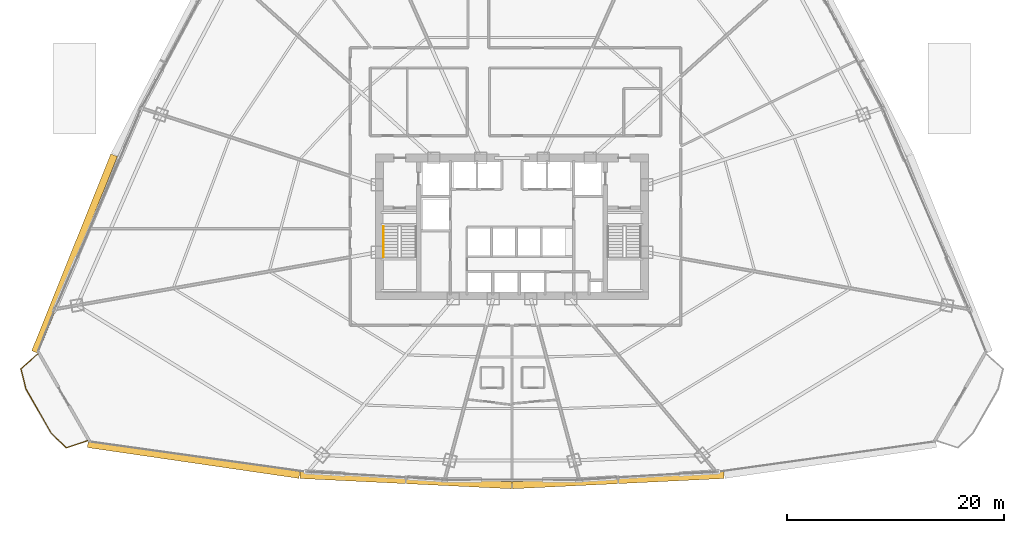
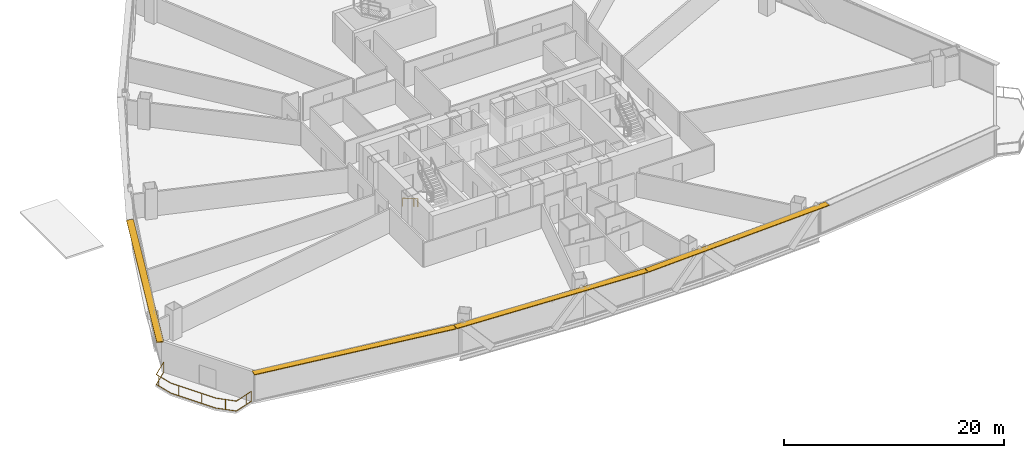
# One storey, part 35 of 38: 4 shading devices, 2 railings.
"""IFC4 building model written with IfcOpenShell, lengths in metres."""

from ifc_helpers import new_model, si_unit, direction, frame, origin, origin_2d, place, context, subcontext, project, spatial, rectangle, extrude, source, transform, mapped, material, layer, layer_set, type_object, element, save


model = new_model("IFC4")

# Units and contexts
model_context = context("Model", 3, precision=1e-05, world=origin(), true_north=direction((0.0, 1.0)))
body_context = subcontext(model_context, "Body", "Model", "MODEL_VIEW")
ifc_project = project(units=[si_unit("LENGTHUNIT", "METRE"), si_unit("AREAUNIT", "SQUARE_METRE"), si_unit("VOLUMEUNIT", "CUBIC_METRE"), si_unit("PLANEANGLEUNIT", "RADIAN"), si_unit("MASSUNIT", "GRAM", prefix="KILO"), si_unit("THERMODYNAMICTEMPERATUREUNIT", "KELVIN"), si_unit("POWERUNIT", "WATT")], contexts=[model_context])

# Site, building, storey
site_placement = place(None, origin())
site = spatial("IfcSite", under=ifc_project, at=site_placement, CompositionType="ELEMENT")
building_placement = place(site_placement, origin())
building = spatial("IfcBuilding", under=site, at=building_placement, Name="Yunzhuo Pagoda Commons", CompositionType="ELEMENT")
storey_placement = place(building_placement, frame((0.0, 0.0, 30.39990234375)))
storey = spatial("IfcBuildingStorey", under=building, at=storey_placement, Name="L07", CompositionType="ELEMENT", Elevation=30.39990234375)

# Railings
ifc_material = material(Name="Anodized aluminium 6063-T6", Category="aluminium")
railing_type_1 = type_object("IfcRailingType", Name="HR-ST1 Stair Handrail 900", PredefinedType="HANDRAIL", material=ifc_material)
railing_1_placement = place(storey_placement, frame((36.14990234375, 33.89990234375, 0.1650390625)))
element("IfcRailing", 1, at=railing_1_placement, inside=storey, type_object=railing_type_1, Name="L07 ST1 stair handrail 1", PredefinedType="HANDRAIL", context=body_context, shape_type="SweptSolid", body=[
    extrude(rectangle(XDim=0.048095703125, YDim=0.048095703125, at=origin_2d()), frame((0.0, 0.0, 0.8759765625), z_axis=(0.0, -0.861503254194, 0.507752048753), x_axis=(1.0, 0.0, 0.0)), (0.0, 0.0, 1.0), 3.25),
    extrude(rectangle(XDim=0.0419921875, YDim=0.0419921875, at=origin_2d()), origin(), (0.0, 0.0, 1.0), 0.851806640625),
    extrude(rectangle(XDim=0.0419921875, YDim=0.0419921875, at=origin_2d()), frame((0.0, -2.067626953125, 1.218505859375)), (0.0, 0.0, 1.0), 0.851806640625),
    extrude(rectangle(XDim=0.0419921875, YDim=0.0419921875, at=origin_2d()), frame((0.0, -2.7998046875, 1.650146484375)), (0.0, 0.0, 1.0), 0.851806640625),
])
railing_type_2 = type_object("IfcRailingType", Name="RL-BAL1 Exterior Terrace & Balcony Balustrade 1150", PredefinedType="BALUSTRADE", material=ifc_material)
railing_2_placement = place(storey_placement, frame((4.3310546875, 22.15283203125, 0.0)))
element("IfcRailing", 2, at=railing_2_placement, inside=storey, type_object=railing_type_2, Name="L07 corner balcony balustrade V1", PredefinedType="BALUSTRADE", context=body_context, shape_type="SweptSolid", body=[
    extrude(rectangle(XDim=0.048095703125, YDim=0.048095703125, at=origin_2d()), frame((0.0, 0.0, 1.1259765625), z_axis=(-0.753992555518, -0.656882962348, 0.0), x_axis=(0.656882962348, -0.753992555518, 0.0)), (0.0, 0.0, 1.0), 2.05908203125),
    extrude(rectangle(XDim=0.048095703125, YDim=0.048095703125, at=origin_2d()), frame((0.0, 0.0, 0.02392578125), z_axis=(-0.753992555518, -0.656882962348, 0.0), x_axis=(0.656882962348, -0.753992555518, 0.0)), (0.0, 0.0, 1.0), 2.05908203125),
    extrude(rectangle(XDim=0.048095703125, YDim=0.048095703125, at=origin_2d()), frame((-1.552490234375, -1.3525390625, 1.1259765625), z_axis=(0.241437285423, -0.970416424638, 0.0), x_axis=(0.970416424638, 0.241437285423, 0.0)), (0.0, 0.0, 1.0), 1.935546875),
    extrude(rectangle(XDim=0.048095703125, YDim=0.048095703125, at=origin_2d()), frame((-1.552490234375, -1.3525390625, 0.02392578125), z_axis=(0.241437285423, -0.970416424638, 0.0), x_axis=(0.970416424638, 0.241437285423, 0.0)), (0.0, 0.0, 1.0), 1.935546875),
    extrude(rectangle(XDim=0.048095703125, YDim=0.048095703125, at=origin_2d()), frame((-1.085205078125, -3.230712890625, 1.1259765625), z_axis=(0.497917619796, -0.867224333086, 0.0), x_axis=(0.867224333086, 0.497917619796, 0.0)), (0.0, 0.0, 1.0), 4.68310546875),
    extrude(rectangle(XDim=0.048095703125, YDim=0.048095703125, at=origin_2d()), frame((-1.085205078125, -3.230712890625, 0.02392578125), z_axis=(0.497917619796, -0.867224333086, 0.0), x_axis=(0.867224333086, 0.497917619796, 0.0)), (0.0, 0.0, 1.0), 4.68310546875),
    extrude(rectangle(XDim=0.048095703125, YDim=0.048095703125, at=origin_2d()), frame((1.24658203125, -7.2919921875, 1.1259765625), z_axis=(0.716379924968, -0.697710400598, 0.0), x_axis=(0.697710400598, 0.716379924968, 0.0)), (0.0, 0.0, 1.0), 1.935302734375),
    extrude(rectangle(XDim=0.048095703125, YDim=0.048095703125, at=origin_2d()), frame((1.24658203125, -7.2919921875, 0.02392578125), z_axis=(0.716379924968, -0.697710400598, 0.0), x_axis=(0.697710400598, 0.716379924968, 0.0)), (0.0, 0.0, 1.0), 1.935302734375),
    extrude(rectangle(XDim=0.048095703125, YDim=0.048095703125, at=origin_2d()), frame((2.633056640625, -8.642333984375, 1.1259765625), z_axis=(0.947419062147, 0.319995501031, 0.0), x_axis=(-0.319995501031, 0.947419062147, 0.0)), (0.0, 0.0, 1.0), 2.05908203125),
    extrude(rectangle(XDim=0.048095703125, YDim=0.048095703125, at=origin_2d()), frame((2.633056640625, -8.642333984375, 0.02392578125), z_axis=(0.947419062147, 0.319995501031, 0.0), x_axis=(-0.319995501031, 0.947419062147, 0.0)), (0.0, 0.0, 1.0), 2.05908203125),
    extrude(rectangle(XDim=0.0419921875, YDim=0.0419921875, at=origin_2d()), origin(), (0.0, 0.0, 1.0), 1.101806640625),
    extrude(rectangle(XDim=0.0419921875, YDim=0.0419921875, at=origin_2d()), frame((-1.47021484375, -1.683349609375, 0.0)), (0.0, 0.0, 1.0), 1.101806640625),
    extrude(rectangle(XDim=0.0419921875, YDim=0.0419921875, at=origin_2d()), frame((-0.68408203125, -3.92919921875, 0.0)), (0.0, 0.0, 1.0), 1.101806640625),
    extrude(rectangle(XDim=0.0419921875, YDim=0.0419921875, at=origin_2d()), frame((0.510986328125, -6.0107421875, 0.0)), (0.0, 0.0, 1.0), 1.101806640625),
    extrude(rectangle(XDim=0.0419921875, YDim=0.0419921875, at=origin_2d()), frame((1.907470703125, -7.935546875, 0.0)), (0.0, 0.0, 1.0), 1.101806640625),
    extrude(rectangle(XDim=0.0419921875, YDim=0.0419921875, at=origin_2d()), frame((3.947265625, -8.198486328125, 0.0)), (0.0, 0.0, 1.0), 1.101806640625),
    extrude(rectangle(XDim=0.0419921875, YDim=0.0419921875, at=origin_2d()), frame((4.583984375, -7.9833984375, 0.0)), (0.0, 0.0, 1.0), 1.101806640625),
])

# Shading devices
ifc_layer = layer(ifc_material, 0.080078125)
ifc_layer_set = layer_set([ifc_layer], Name="Anodized aluminium 6063-T6")
shading_device_type = type_object("IfcShadingDeviceType", Name="SH-SUN1 Pagoda Horizontal Sunshade Eave 650", PredefinedType="USERDEFINED", material=ifc_layer_set)
shared_shape_1 = source(origin(), body_context, "Body", "SweptSolid", [
    extrude(rectangle(XDim=19.689453125, YDim=0.64990234375, at=origin_2d()), origin(), (0.0, 0.0, 1.0), 0.080078125),
])
shading_device_1_placement = place(storey_placement, frame((18.681396484375, 12.4375, 3.2900390625), z_axis=(0.0, 0.0, 1.0), x_axis=(0.989510666697, -0.144459823108, 0.0)))
element("IfcShadingDevice", 3, at=shading_device_1_placement, inside=storey, type_object=shading_device_type, Name="L07 horizontal pagoda sunshade eave F1.1", ObjectType="SUNSHADE", PredefinedType="USERDEFINED", context=body_context, shape_type="MappedRepresentation", body=[
    mapped(shared_shape_1, transform((0.0, 0.0, 0.0), scale=1.0)),
])
shared_shape_2 = source(origin(), body_context, "Body", "SweptSolid", [
    extrude(rectangle(XDim=19.505615234375, YDim=0.64990234375, at=origin_2d()), origin(), (0.0, 0.0, 1.0), 0.080078125),
])
for number, where, z_axis, x_axis, name in (
    (4, (38.22705078125, 10.535400390625, 3.2900390625), (0.0, 0.0, 1.0), (0.998818043775, -0.04860571396, 0.0), "L07 horizontal pagoda sunshade eave F1.2"),
    (5, (57.77294921875, 10.535400390625, 3.2900390625), (0.0, 0.0, 1.0), (0.998818043775, 0.04860571396, 0.0), "L07 horizontal pagoda sunshade eave F1.3"),
):
    element("IfcShadingDevice", number, at=place(storey_placement, frame(where, z_axis=z_axis, x_axis=x_axis)), inside=storey, type_object=shading_device_type, Name=name, ObjectType="SUNSHADE", PredefinedType="USERDEFINED", context=body_context, shape_type="MappedRepresentation", body=[
        mapped(shared_shape_2, transform((0.0, 0.0, 0.0), scale=1.0)),
    ])
shared_shape_3 = source(origin(), body_context, "Body", "SweptSolid", [
    extrude(rectangle(XDim=19.53125, YDim=0.64990234375, at=origin_2d()), origin(), (0.0, 0.0, 1.0), 0.080078125),
])
shading_device_2_placement = place(storey_placement, frame((7.718505859375, 31.391357421875, 3.2900390625), z_axis=(0.0, 0.0, 1.0), x_axis=(-0.372987782576, -0.927836253899, 0.0)))
element("IfcShadingDevice", 6, at=shading_device_2_placement, inside=storey, type_object=shading_device_type, Name="L07 horizontal pagoda sunshade eave F3.4", ObjectType="SUNSHADE", PredefinedType="USERDEFINED", context=body_context, shape_type="MappedRepresentation", body=[
    mapped(shared_shape_3, transform((0.0, 0.0, 0.0), scale=1.0)),
])

save(model, "model.ifc")
